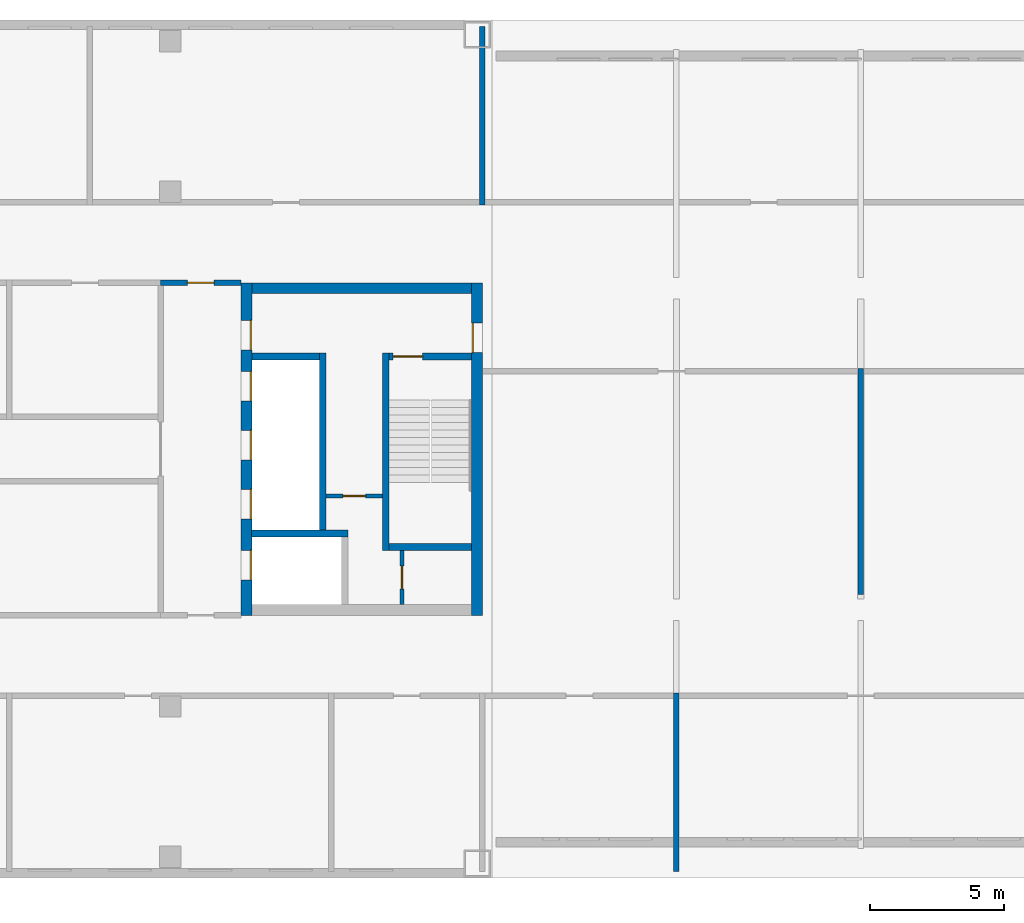
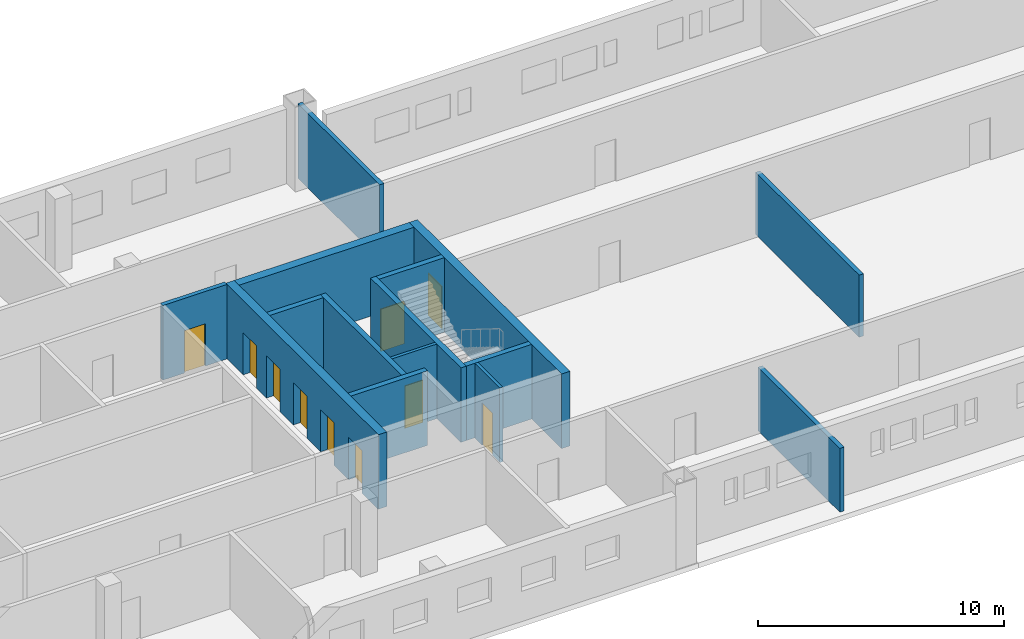
# One storey, part 4 of 13: 15 walls, 10 doors, 10 openings.
"""IFC4 building model written with IfcOpenShell, lengths in metres."""

from ifc_helpers import new_model, si_unit, direction, frame, frame_2d, origin, place, context, subcontext, project, spatial, rectangle, extrude, material, layer, layer_set, type_object, element, fill, save


model = new_model("IFC4")

# Units and contexts
model_context = context("Model", 3, precision=1e-05, world=origin(), true_north=direction((0.0, 1.0)))
body_context = subcontext(model_context, "Body", "Model", "MODEL_VIEW")
ifc_project = project(units=[si_unit("LENGTHUNIT", "METRE"), si_unit("AREAUNIT", "SQUARE_METRE"), si_unit("VOLUMEUNIT", "CUBIC_METRE"), si_unit("PLANEANGLEUNIT", "RADIAN"), si_unit("MASSUNIT", "GRAM", prefix="KILO")], contexts=[model_context])

# Site, building, storey
site_placement = place(None, origin())
site = spatial("IfcSite", under=ifc_project, at=site_placement, CompositionType="ELEMENT")
building_placement = place(site_placement, origin())
building = spatial("IfcBuilding", under=site, at=building_placement, Name="Tuart Gate Housing", CompositionType="ELEMENT")
storey_placement = place(building_placement, frame((0.0, 0.0, 198.60009765625)))
storey = spatial("IfcBuildingStorey", under=building, at=storey_placement, Name="L56", CompositionType="ELEMENT", Elevation=198.60009765625)

# Wall, opening, door
ifc_material_1 = material(Name="Plasterboard partition")
ifc_layer_1 = layer(ifc_material_1, 0.14990234375)
ifc_layer_set_1 = layer_set([ifc_layer_1], Name="Core partition 150")
wall_type_1 = type_object("IfcWallType", Name="Core partition 150", PredefinedType="PARTITIONING", material=ifc_layer_set_1)
wall_1_placement = place(storey_placement, frame((69.81494140625, 68.25, 0.0), z_axis=(0.0, 0.0, 1.0), x_axis=(1.0, 0.0, 0.0)))
wall_1 = element("IfcWall", 1, at=wall_1_placement, inside=storey, type_object=wall_type_1, Name="Core partition AG.3", PredefinedType="PARTITIONING", context=body_context, shape_type="SweptSolid", body=[
    extrude(rectangle(XDim=2.10009765625, YDim=0.14990234375, at=frame_2d((1.050048828125, 0.0))), origin(), (0.0, 0.0, 1.0), 3.699951171875),
])
opening_1_placement = place(wall_1_placement, frame((0.625, 0.0, 0.0)))
opening_1 = element("IfcOpeningElement", 2, at=opening_1_placement, cuts=wall_1, Name="Opening D3579", PredefinedType="OPENING", context=body_context, shape_type="SweptSolid", body=[
    extrude(rectangle(XDim=0.85009765625, YDim=2.10009765625, at=frame_2d((0.425048828125, 1.050048828125))), frame((0.0, 0.0849609375, 0.0), z_axis=(0.0, -1.0, 0.0), x_axis=(1.0, 0.0, 0.0)), (0.0, 0.0, 1.0), 0.169921875),
])
ifc_material_2 = material(Name="Steel fire door", Category="steel")
door_type_1 = type_object("IfcDoorType", Name="Riser door 850 x 2100 RH", OperationType="SINGLE_SWING_RIGHT", PredefinedType="DOOR", material=ifc_material_2)
door_1_placement = place(opening_1_placement, frame((0.85009765625, 0.0, 0.0), z_axis=(0.0, 0.0, 1.0), x_axis=(-1.0, 0.0, 0.0)))
door_1 = element("IfcDoor", 3, at=door_1_placement, inside=storey, type_object=door_type_1, Name="Service room door AG.E1", OperationType="SINGLE_SWING_RIGHT", OverallHeight=2.10009765625, OverallWidth=0.85009765625, PredefinedType="DOOR", context=body_context, shape_type="SweptSolid", body=[
    extrude(rectangle(XDim=0.85009765625, YDim=2.10009765625, at=frame_2d((0.425048828125, 1.050048828125))), frame((0.0, 0.025146484375, 0.0), z_axis=(0.0, -1.0, 0.0), x_axis=(1.0, 0.0, 0.0)), (0.0, 0.0, 1.0), 0.050048828125),
])
fill(opening_1, door_1)

wall_2_placement = place(storey_placement, frame((72.639892578125, 64.199951171875, 0.0), z_axis=(0.0, 0.0, 1.0), x_axis=(0.0, 1.0, 0.0)))
wall_2 = element("IfcWall", 4, at=wall_2_placement, inside=storey, type_object=wall_type_1, Name="Core partition AG.9", PredefinedType="PARTITIONING", context=body_context, shape_type="SweptSolid", body=[
    extrude(rectangle(XDim=2.025146484375, YDim=0.14990234375, at=frame_2d((1.0126953125, 0.0))), origin(), (0.0, 0.0, 1.0), 3.699951171875),
])
opening_2_placement = place(wall_2_placement, frame((0.58740234375, 0.0, 0.0)))
opening_2 = element("IfcOpeningElement", 5, at=opening_2_placement, cuts=wall_2, Name="Opening D3581", PredefinedType="OPENING", context=body_context, shape_type="SweptSolid", body=[
    extrude(rectangle(XDim=0.85009765625, YDim=2.10009765625, at=frame_2d((0.425048828125, 1.050048828125))), frame((0.0, 0.0849609375, 0.0), z_axis=(0.0, -1.0, 0.0), x_axis=(1.0, 0.0, 0.0)), (0.0, 0.0, 1.0), 0.169921875),
])
ifc_material_3 = material(Name="Steel fire door", Category="steel")
door_type_2 = type_object("IfcDoorType", Name="Service door 850 x 2100 RH", OperationType="SINGLE_SWING_RIGHT", PredefinedType="DOOR", material=ifc_material_3)
door_2_placement = place(opening_2_placement, frame((0.85009765625, 0.0, 0.0), z_axis=(0.0, 0.0, 1.0), x_axis=(-1.0, 0.0, 0.0)))
door_2 = element("IfcDoor", 6, at=door_2_placement, inside=storey, type_object=door_type_2, Name="Service room door AG.E2", OperationType="SINGLE_SWING_RIGHT", OverallHeight=2.10009765625, OverallWidth=0.85009765625, PredefinedType="DOOR", context=body_context, shape_type="SweptSolid", body=[
    extrude(rectangle(XDim=0.85009765625, YDim=2.10009765625, at=frame_2d((0.425048828125, 1.050048828125))), frame((0.0, 0.025146484375, 0.0), z_axis=(0.0, -1.0, 0.0), x_axis=(1.0, 0.0, 0.0)), (0.0, 0.0, 1.0), 0.050048828125),
])
fill(opening_2, door_2)

# Walls
ifc_material_4 = material(Name="Concrete C40", Category="concrete")
ifc_layer_2 = layer(ifc_material_4, 0.25)
ifc_layer_set_2 = layer_set([ifc_layer_2], Name="Core wall 250 C40")
wall_type_2 = type_object("IfcWallType", Name="Core wall 250 C40", PredefinedType="SHEAR", material=ifc_layer_set_2)
wall_3_placement = place(storey_placement, frame((72.1650390625, 66.35009765625, 0.0), z_axis=(0.0, 0.0, 1.0), x_axis=(1.0, 0.0, 0.0)))
element("IfcWall", 7, at=wall_3_placement, inside=storey, type_object=wall_type_2, Name="Core wall AG.1", PredefinedType="SHEAR", context=body_context, shape_type="SweptSolid", body=[
    extrude(rectangle(XDim=3.074951171875, YDim=0.25, at=frame_2d((1.53759765625, 0.0))), origin(), (0.0, 0.0, 1.0), 3.699951171875),
])
wall_4_placement = place(storey_placement, frame((67.0400390625, 66.85009765625, 0.0), z_axis=(0.0, 0.0, 1.0), x_axis=(1.0, 0.0, 0.0)))
element("IfcWall", 8, at=wall_4_placement, inside=storey, type_object=wall_type_2, Name="Core wall AG.2", PredefinedType="SHEAR", context=body_context, shape_type="SweptSolid", body=[
    extrude(rectangle(XDim=3.594970703125, YDim=0.25, at=frame_2d((1.79736328125, 0.0))), origin(), (0.0, 0.0, 1.0), 3.699951171875),
])
wall_5_placement = place(storey_placement, frame((67.0400390625, 73.449951171875, 0.0), z_axis=(0.0, 0.0, 1.0), x_axis=(1.0, 0.0, 0.0)))
element("IfcWall", 9, at=wall_5_placement, inside=storey, type_object=wall_type_2, Name="Core wall AG.4", PredefinedType="SHEAR", context=body_context, shape_type="SweptSolid", body=[
    extrude(rectangle(XDim=2.52490234375, YDim=0.25, at=frame_2d((1.262451171875, 0.0))), origin(), (0.0, 0.0, 1.0), 3.699951171875),
])

# Wall, opening, door
wall_6_placement = place(storey_placement, frame((72.1650390625, 73.449951171875, 0.0), z_axis=(0.0, 0.0, 1.0), x_axis=(1.0, 0.0, 0.0)))
wall_6 = element("IfcWall", 10, at=wall_6_placement, inside=storey, type_object=wall_type_2, Name="Core wall AG.5", PredefinedType="SHEAR", context=body_context, shape_type="SweptSolid", body=[
    extrude(rectangle(XDim=3.074951171875, YDim=0.25, at=frame_2d((1.53759765625, 0.0))), origin(), (0.0, 0.0, 1.0), 3.699951171875),
])
opening_3_placement = place(wall_6_placement, frame((0.14990234375, 0.0, 0.0)))
opening_3 = element("IfcOpeningElement", 11, at=opening_3_placement, cuts=wall_6, Name="Opening D3570", PredefinedType="OPENING", context=body_context, shape_type="SweptSolid", body=[
    extrude(rectangle(XDim=1.10009765625, YDim=2.10009765625, at=frame_2d((0.550048828125, 1.050048828125))), frame((0.0, 0.135009765625, 0.0), z_axis=(0.0, -1.0, 0.0), x_axis=(1.0, 0.0, 0.0)), (0.0, 0.0, 1.0), 0.27001953125),
])
ifc_material_5 = material(Name="Steel fire door", Category="steel")
door_type_3 = type_object("IfcDoorType", Name="Stair door 1100 x 2100 RH", OperationType="SINGLE_SWING_RIGHT", PredefinedType="DOOR", material=ifc_material_5)
door_3_placement = place(opening_3_placement, frame((1.10009765625, 0.0, 0.0), z_axis=(0.0, 0.0, 1.0), x_axis=(-1.0, 0.0, 0.0)))
door_3 = element("IfcDoor", 12, at=door_3_placement, inside=storey, type_object=door_type_3, Name="Stair door AG.SD", OperationType="SINGLE_SWING_RIGHT", OverallHeight=2.10009765625, OverallWidth=1.10009765625, PredefinedType="DOOR", context=body_context, shape_type="SweptSolid", body=[
    extrude(rectangle(XDim=1.10009765625, YDim=2.10009765625, at=frame_2d((0.550048828125, 1.050048828125))), frame((0.0, 0.025146484375, 0.0), z_axis=(0.0, -1.0, 0.0), x_axis=(1.0, 0.0, 0.0)), (0.0, 0.0, 1.0), 0.050048828125),
])
fill(opening_3, door_3)

# Walls
wall_7_placement = place(storey_placement, frame((69.68994140625, 66.97509765625, 0.0), z_axis=(0.0, 0.0, 1.0), x_axis=(0.0, 1.0, 0.0)))
element("IfcWall", 13, at=wall_7_placement, inside=storey, type_object=wall_type_2, Name="Core wall AG.6", PredefinedType="SHEAR", context=body_context, shape_type="SweptSolid", body=[
    extrude(rectangle(XDim=6.599853515625, YDim=0.25, at=frame_2d((3.2998046875, 0.0))), origin(), (0.0, 0.0, 1.0), 3.699951171875),
])
wall_8_placement = place(storey_placement, frame((72.0400390625, 66.22509765625, 0.0), z_axis=(0.0, 0.0, 1.0), x_axis=(0.0, 1.0, 0.0)))
element("IfcWall", 14, at=wall_8_placement, inside=storey, type_object=wall_type_2, Name="Core wall AG.8", PredefinedType="SHEAR", context=body_context, shape_type="SweptSolid", body=[
    extrude(rectangle(XDim=7.349853515625, YDim=0.25, at=frame_2d((3.6748046875, 0.0))), origin(), (0.0, 0.0, 1.0), 3.699951171875),
])

# Wall, openings, doors
ifc_material_6 = material(Name="Concrete C40", Category="concrete")
ifc_layer_3 = layer(ifc_material_6, 0.39990234375)
ifc_layer_set_3 = layer_set([ifc_layer_3], Name="Core wall 400 C40")
wall_type_3 = type_object("IfcWallType", Name="Core wall 400 C40", PredefinedType="SHEAR", material=ifc_layer_set_3)
wall_9_placement = place(storey_placement, frame((66.840087890625, 63.800048828125, 0.0), z_axis=(0.0, 0.0, 1.0), x_axis=(0.0, 1.0, 0.0)))
wall_9 = element("IfcWall", 15, at=wall_9_placement, inside=storey, type_object=wall_type_3, Name="Core wall AG front", PredefinedType="SHEAR", context=body_context, shape_type="SweptSolid", body=[
    extrude(rectangle(XDim=12.39990234375, YDim=0.39990234375, at=frame_2d((6.199951171875, 0.0))), origin(), (0.0, 0.0, 1.0), 3.699951171875),
])
opening_4_placement = place(wall_9_placement, frame((1.324951171875, 0.0, 0.0)))
opening_4 = element("IfcOpeningElement", 16, at=opening_4_placement, cuts=wall_9, Name="Opening LD-FA1", PredefinedType="OPENING", context=body_context, shape_type="SweptSolid", body=[
    extrude(rectangle(XDim=1.10009765625, YDim=2.10009765625, at=frame_2d((0.550048828125, 1.050048828125))), frame((0.0, 0.2099609375, 0.0), z_axis=(0.0, -1.0, 0.0), x_axis=(1.0, 0.0, 0.0)), (0.0, 0.0, 1.0), 0.419921875),
])
opening_5_placement = place(wall_9_placement, frame((3.60009765625, 0.0, 0.0)))
opening_5 = element("IfcOpeningElement", 17, at=opening_5_placement, cuts=wall_9, Name="Opening LD-LA1", PredefinedType="OPENING", context=body_context, shape_type="SweptSolid", body=[
    extrude(rectangle(XDim=1.10009765625, YDim=2.10009765625, at=frame_2d((0.550048828125, 1.050048828125))), frame((0.0, 0.2099609375, 0.0), z_axis=(0.0, -1.0, 0.0), x_axis=(1.0, 0.0, 0.0)), (0.0, 0.0, 1.0), 0.419921875),
])
opening_6_placement = place(wall_9_placement, frame((5.800048828125, 0.0, 0.0)))
opening_6 = element("IfcOpeningElement", 18, at=opening_6_placement, cuts=wall_9, Name="Opening LD-LA2", PredefinedType="OPENING", context=body_context, shape_type="SweptSolid", body=[
    extrude(rectangle(XDim=1.10009765625, YDim=2.10009765625, at=frame_2d((0.550048828125, 1.050048828125))), frame((0.0, 0.2099609375, 0.0), z_axis=(0.0, -1.0, 0.0), x_axis=(1.0, 0.0, 0.0)), (0.0, 0.0, 1.0), 0.419921875),
])
opening_7_placement = place(wall_9_placement, frame((8.0, 0.0, 0.0)))
opening_7 = element("IfcOpeningElement", 19, at=opening_7_placement, cuts=wall_9, Name="Opening LD-LA3", PredefinedType="OPENING", context=body_context, shape_type="SweptSolid", body=[
    extrude(rectangle(XDim=1.10009765625, YDim=2.10009765625, at=frame_2d((0.550048828125, 1.050048828125))), frame((0.0, 0.2099609375, 0.0), z_axis=(0.0, -1.0, 0.0), x_axis=(1.0, 0.0, 0.0)), (0.0, 0.0, 1.0), 0.419921875),
])
opening_8_placement = place(wall_9_placement, frame((9.89990234375, 0.0, 0.0)))
opening_8 = element("IfcOpeningElement", 20, at=opening_8_placement, cuts=wall_9, Name="Opening D3577", PredefinedType="OPENING", context=body_context, shape_type="SweptSolid", body=[
    extrude(rectangle(XDim=1.10009765625, YDim=2.10009765625, at=frame_2d((0.550048828125, 1.050048828125))), frame((0.0, 0.2099609375, 0.0), z_axis=(0.0, -1.0, 0.0), x_axis=(1.0, 0.0, 0.0)), (0.0, 0.0, 1.0), 0.419921875),
])
ifc_material_7 = material(Name="Stainless steel", Category="steel")
door_type_4 = type_object("IfcDoorType", Name="Landing door 1100 x 2100", OperationType="DOUBLE_DOOR_SLIDING", PredefinedType="DOOR", material=ifc_material_7)
door_4_placement = place(opening_4_placement, origin())
door_4 = element("IfcDoor", 21, at=door_4_placement, inside=storey, type_object=door_type_4, Name="Lift landing door FA1", OperationType="DOUBLE_DOOR_SLIDING", OverallHeight=2.10009765625, OverallWidth=1.10009765625, PredefinedType="DOOR", context=body_context, shape_type="SweptSolid", body=[
    extrude(rectangle(XDim=1.10009765625, YDim=2.10009765625, at=frame_2d((0.550048828125, 1.050048828125))), frame((0.0, -0.134765625, 0.0), z_axis=(0.0, -1.0, 0.0), x_axis=(1.0, 0.0, 0.0)), (0.0, 0.0, 1.0), 0.050048828125),
])
fill(opening_4, door_4)
door_5_placement = place(opening_5_placement, origin())
door_5 = element("IfcDoor", 22, at=door_5_placement, inside=storey, type_object=door_type_4, Name="Lift landing door LA1", OperationType="DOUBLE_DOOR_SLIDING", OverallHeight=2.10009765625, OverallWidth=1.10009765625, PredefinedType="DOOR", context=body_context, shape_type="SweptSolid", body=[
    extrude(rectangle(XDim=1.10009765625, YDim=2.10009765625, at=frame_2d((0.550048828125, 1.050048828125))), frame((0.0, -0.134765625, 0.0), z_axis=(0.0, -1.0, 0.0), x_axis=(1.0, 0.0, 0.0)), (0.0, 0.0, 1.0), 0.050048828125),
])
fill(opening_5, door_5)
door_6_placement = place(opening_6_placement, origin())
door_6 = element("IfcDoor", 23, at=door_6_placement, inside=storey, type_object=door_type_4, Name="Lift landing door LA2", OperationType="DOUBLE_DOOR_SLIDING", OverallHeight=2.10009765625, OverallWidth=1.10009765625, PredefinedType="DOOR", context=body_context, shape_type="SweptSolid", body=[
    extrude(rectangle(XDim=1.10009765625, YDim=2.10009765625, at=frame_2d((0.550048828125, 1.050048828125))), frame((0.0, -0.134765625, 0.0), z_axis=(0.0, -1.0, 0.0), x_axis=(1.0, 0.0, 0.0)), (0.0, 0.0, 1.0), 0.050048828125),
])
fill(opening_6, door_6)
door_7_placement = place(opening_7_placement, origin())
door_7 = element("IfcDoor", 24, at=door_7_placement, inside=storey, type_object=door_type_4, Name="Lift landing door LA3", OperationType="DOUBLE_DOOR_SLIDING", OverallHeight=2.10009765625, OverallWidth=1.10009765625, PredefinedType="DOOR", context=body_context, shape_type="SweptSolid", body=[
    extrude(rectangle(XDim=1.10009765625, YDim=2.10009765625, at=frame_2d((0.550048828125, 1.050048828125))), frame((0.0, -0.134765625, 0.0), z_axis=(0.0, -1.0, 0.0), x_axis=(1.0, 0.0, 0.0)), (0.0, 0.0, 1.0), 0.050048828125),
])
fill(opening_7, door_7)
ifc_material_8 = material(Name="Steel fire door", Category="steel")
door_type_5 = type_object("IfcDoorType", Name="Lobby door 1100 x 2100 RH", OperationType="SINGLE_SWING_RIGHT", PredefinedType="DOOR", material=ifc_material_8)
door_8_placement = place(opening_8_placement, frame((1.10009765625, 0.0, 0.0), z_axis=(0.0, 0.0, 1.0), x_axis=(-1.0, 0.0, 0.0)))
door_8 = element("IfcDoor", 25, at=door_8_placement, inside=storey, type_object=door_type_5, Name="Lobby entry door AG.EN", OperationType="SINGLE_SWING_RIGHT", OverallHeight=2.10009765625, OverallWidth=1.10009765625, PredefinedType="DOOR", context=body_context, shape_type="SweptSolid", body=[
    extrude(rectangle(XDim=1.10009765625, YDim=2.10009765625, at=frame_2d((0.550048828125, 1.050048828125))), frame((0.0, 0.184814453125, 0.0), z_axis=(0.0, -1.0, 0.0), x_axis=(1.0, 0.0, 0.0)), (0.0, 0.0, 1.0), 0.050048828125),
])
fill(opening_8, door_8)

# Wall, opening, door
wall_10_placement = place(storey_placement, frame((75.43994140625, 63.800048828125, 0.0), z_axis=(0.0, 0.0, 1.0), x_axis=(0.0, 1.0, 0.0)))
wall_10 = element("IfcWall", 26, at=wall_10_placement, inside=storey, type_object=wall_type_3, Name="Core wall AG back", PredefinedType="SHEAR", context=body_context, shape_type="SweptSolid", body=[
    extrude(rectangle(XDim=12.39990234375, YDim=0.39990234375, at=frame_2d((6.199951171875, 0.0))), origin(), (0.0, 0.0, 1.0), 3.699951171875),
])
opening_9_placement = place(wall_10_placement, frame((9.800048828125, 0.0, 0.0)))
opening_9 = element("IfcOpeningElement", 27, at=opening_9_placement, cuts=wall_10, Name="Opening D3578", PredefinedType="OPENING", context=body_context, shape_type="SweptSolid", body=[
    extrude(rectangle(XDim=1.10009765625, YDim=2.10009765625, at=frame_2d((0.550048828125, 1.050048828125))), frame((0.0, 0.2099609375, 0.0), z_axis=(0.0, -1.0, 0.0), x_axis=(1.0, 0.0, 0.0)), (0.0, 0.0, 1.0), 0.419921875),
])
ifc_material_9 = material(Name="Steel fire door", Category="steel")
door_type_6 = type_object("IfcDoorType", Name="Lobby door 1100 x 2100", OperationType="SINGLE_SWING_LEFT", PredefinedType="DOOR", material=ifc_material_9)
door_9_placement = place(opening_9_placement, origin())
door_9 = element("IfcDoor", 28, at=door_9_placement, inside=storey, type_object=door_type_6, Name="Link door AG.LK", OperationType="SINGLE_SWING_LEFT", OverallHeight=2.10009765625, OverallWidth=1.10009765625, PredefinedType="DOOR", context=body_context, shape_type="SweptSolid", body=[
    extrude(rectangle(XDim=1.10009765625, YDim=2.10009765625, at=frame_2d((0.550048828125, 1.050048828125))), frame((0.0, 0.18505859375, 0.0), z_axis=(0.0, -1.0, 0.0), x_axis=(1.0, 0.0, 0.0)), (0.0, 0.0, 1.0), 0.050048828125),
])
fill(opening_9, door_9)

# Wall
wall_11_placement = place(storey_placement, frame((67.0400390625, 76.0, 0.0), z_axis=(0.0, 0.0, 1.0), x_axis=(1.0, 0.0, 0.0)))
element("IfcWall", 29, at=wall_11_placement, inside=storey, type_object=wall_type_3, Name="Core wall AG north", PredefinedType="SHEAR", context=body_context, shape_type="SweptSolid", body=[
    extrude(rectangle(XDim=8.199951171875, YDim=0.39990234375, at=frame_2d((4.10009765625, 0.0))), origin(), (0.0, 0.0, 1.0), 3.699951171875),
])

# Wall, opening, door
ifc_material_10 = material(Name="Concrete masonry 15 MPa", Category="masonry")
ifc_layer_4 = layer(ifc_material_10, 0.199951171875)
ifc_layer_set_4 = layer_set([ifc_layer_4], Name="Enclosure wall masonry 200")
wall_type_4 = type_object("IfcWallType", Name="Enclosure wall masonry 200", PredefinedType="PARTITIONING", material=ifc_layer_set_4)
wall_12_placement = place(storey_placement, frame((63.639892578125, 76.199951171875, 0.0), z_axis=(0.0, 0.0, 1.0), x_axis=(1.0, 0.0, 0.0)))
wall_12 = element("IfcWall", 30, at=wall_12_placement, inside=storey, type_object=wall_type_4, Name="Enclosure wall masonry 200", PredefinedType="PARTITIONING", context=body_context, shape_type="SweptSolid", body=[
    extrude(rectangle(XDim=3.0, YDim=0.199951171875, at=frame_2d((1.5, 0.0))), origin(), (0.0, 0.0, 1.0), 3.699951171875),
])
opening_10_placement = place(wall_12_placement, frame((1.0, 0.0, 0.0)))
opening_10 = element("IfcOpeningElement", 31, at=opening_10_placement, cuts=wall_12, Name="Opening D3569", PredefinedType="OPENING", context=body_context, shape_type="SweptSolid", body=[
    extrude(rectangle(XDim=1.0, YDim=2.10009765625, at=frame_2d((0.5, 1.050048828125))), frame((0.0, 0.10986328125, 0.0), z_axis=(0.0, -1.0, 0.0), x_axis=(1.0, 0.0, 0.0)), (0.0, 0.0, 1.0), 0.219970703125),
])
ifc_material_11 = material(Name="Timber door leaf in steel frame", Category="steel")
door_type_7 = type_object("IfcDoorType", Name="Lobby door 1000 RH", OperationType="SINGLE_SWING_RIGHT", PredefinedType="DOOR", material=ifc_material_11)
door_10_placement = place(opening_10_placement, frame((1.0, 0.0, 0.0), z_axis=(0.0, 0.0, 1.0), x_axis=(-1.0, 0.0, 0.0)))
door_10 = element("IfcDoor", 32, at=door_10_placement, inside=storey, type_object=door_type_7, Name="Lobby door 1000", OperationType="SINGLE_SWING_RIGHT", OverallHeight=2.10009765625, OverallWidth=1.0, PredefinedType="DOOR", context=body_context, shape_type="SweptSolid", body=[
    extrude(rectangle(XDim=1.0, YDim=2.10009765625, at=frame_2d((0.5, 1.050048828125))), frame((0.0, 0.025146484375, 0.0), z_axis=(0.0, -1.0, 0.0), x_axis=(1.0, 0.0, 0.0)), (0.0, 0.0, 1.0), 0.050048828125),
])
fill(opening_10, door_10)

# Walls
wall_13_placement = place(storey_placement, frame((75.639892578125, 79.10009765625, 0.0), z_axis=(0.0, 0.0, 1.0), x_axis=(0.0, 1.0, 0.0)))
element("IfcWall", 33, at=wall_13_placement, inside=storey, type_object=wall_type_4, Name="Enclosure wall masonry 200", PredefinedType="PARTITIONING", context=body_context, shape_type="SweptSolid", body=[
    extrude(rectangle(XDim=6.659912109375, YDim=0.199951171875, at=frame_2d((3.330078125, 0.0))), origin(), (0.0, 0.0, 1.0), 3.699951171875),
])
wall_14_placement = place(storey_placement, frame((82.875, 54.239990234375, 0.0), z_axis=(0.0, 0.0, 1.0), x_axis=(0.0, 1.0, 0.0)))
element("IfcWall", 34, at=wall_14_placement, inside=storey, type_object=wall_type_4, Name="Enclosure wall masonry 200", PredefinedType="PARTITIONING", context=body_context, shape_type="SweptSolid", body=[
    extrude(rectangle(XDim=6.659912109375, YDim=0.199951171875, at=frame_2d((3.330078125, 0.0))), origin(), (0.0, 0.0, 1.0), 3.1669921875),
])
wall_15_placement = place(storey_placement, frame((89.75, 64.580078125, 0.0), z_axis=(0.0, 0.0, 1.0), x_axis=(0.0, 1.0, 0.0)))
element("IfcWall", 35, at=wall_15_placement, inside=storey, type_object=wall_type_4, Name="Enclosure wall masonry 200", PredefinedType="PARTITIONING", context=body_context, shape_type="SweptSolid", body=[
    extrude(rectangle(XDim=8.419921875, YDim=0.199951171875, at=frame_2d((4.2099609375, 0.0))), origin(), (0.0, 0.0, 1.0), 3.087890625),
])

save(model, "model.ifc")
